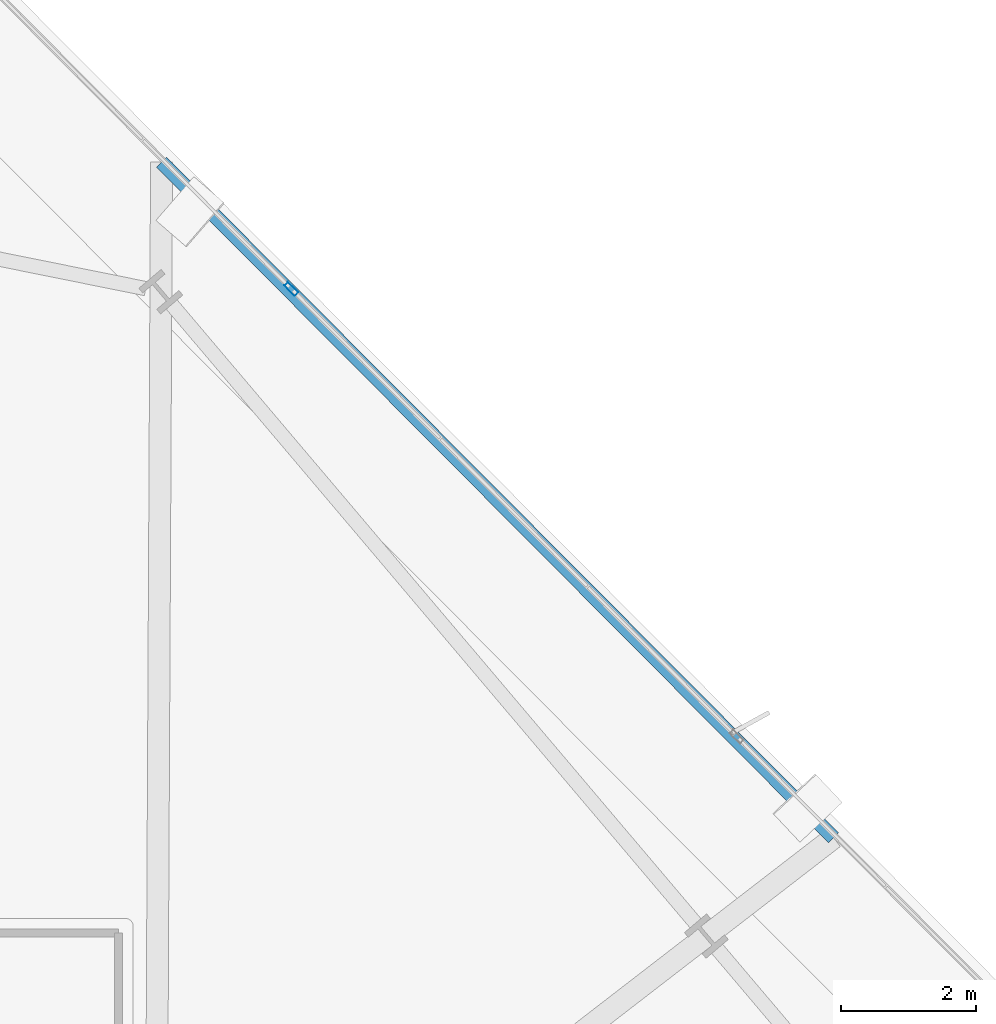
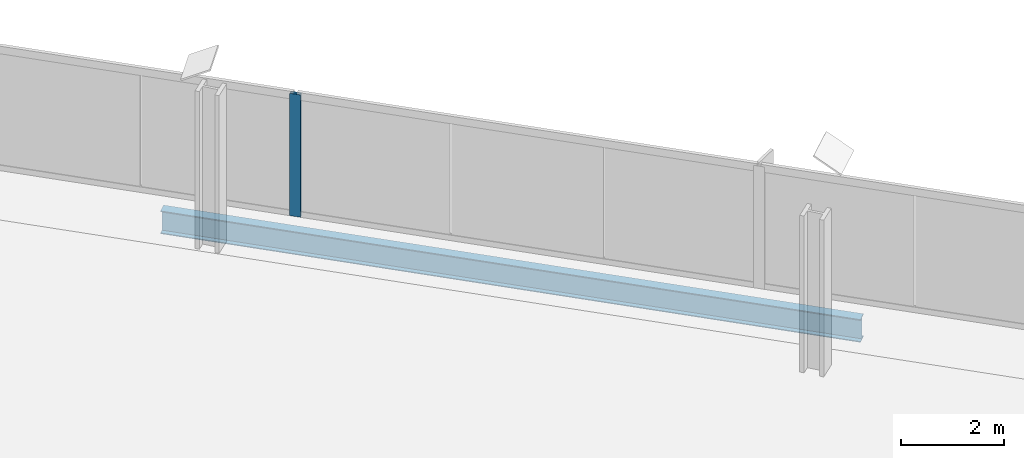
# One storey, part 21 of 32: 1 beam, 1 member, 1 element without a shape of its own.
"""IFC4 building model written with IfcOpenShell, lengths in metres."""

from ifc_helpers import new_model, si_unit, direction, frame, origin, origin_2d, place, context, subcontext, project, spatial, hollow_rectangle, i_section, extrude, material, material_profile, profile_set, type_object, element, aggregate, save


model = new_model("IFC4")

# Units and contexts
model_context = context("Model", 3, precision=1e-05, world=origin(), true_north=direction((0.0, 1.0)))
body_context = subcontext(model_context, "Body", "Model", "MODEL_VIEW")
ifc_project = project(units=[si_unit("LENGTHUNIT", "METRE"), si_unit("AREAUNIT", "SQUARE_METRE"), si_unit("VOLUMEUNIT", "CUBIC_METRE"), si_unit("PLANEANGLEUNIT", "RADIAN"), si_unit("MASSUNIT", "GRAM", prefix="KILO")], contexts=[model_context])

# Site, building, storey
site_placement = place(None, origin())
site = spatial("IfcSite", under=ifc_project, at=site_placement, CompositionType="ELEMENT")
building_placement = place(site_placement, origin())
building = spatial("IfcBuilding", under=site, at=building_placement, Name="Haldenkirk Collegiate Tower", CompositionType="ELEMENT")
storey_placement = place(building_placement, frame((0.0, 0.0, 178.199951171875)))
storey = spatial("IfcBuildingStorey", under=building, at=storey_placement, Name="L44", CompositionType="ELEMENT", Elevation=178.199951171875)

# Beam
ifc_material_1 = material(Name="Steel ASTM A992 Grade 50", Category="steel")
ifc_material_profile_1 = material_profile(ifc_material_1, i_section(OverallWidth=0.2119140625, OverallDepth=0.5439453125, WebThickness=0.01318359375, FlangeThickness=0.021240234375, at=origin_2d()), Name="W21X83")
ifc_profile_set_1 = profile_set([ifc_material_profile_1], Name="Steel ASTM A992 Grade 50")
beam_type = type_object("IfcBeamType", Name="BM-SPANDREL-W21X83", PredefinedType="SPANDREL", material=ifc_profile_set_1)
beam_placement = place(storey_placement, frame((55.05908203125, 41.764404296875, -0.56201171875), z_axis=(-0.705247746959, 0.70896094068, 0.0), x_axis=(-0.70896094068, -0.705247746959, 0.0)))
element("IfcBeam", 1, at=beam_placement, inside=storey, type_object=beam_type, Name="L44 outer facade edge beam 2", PredefinedType="SPANDREL", context=body_context, shape_type="SweptSolid", body=[
    extrude(i_section(OverallWidth=0.2119140625, OverallDepth=0.5439453125, WebThickness=0.01318359375, FlangeThickness=0.021240234375, at=origin_2d()), origin(), (0.0, 0.0, 1.0), 14.13623046875),
])

# Curtain wall, member
ifc_material_2 = material(Name="Anodised architectural bronze aluminium", Category="aluminium")
curtain_wall_type = type_object("IfcCurtainWallType", Name="CW-SYS1-CONVEX-LOW", PredefinedType="USERDEFINED", material=ifc_material_2)
curtain_wall_placement = place(storey_placement, origin())
curtain_wall = element("IfcCurtainWall", 2, at=curtain_wall_placement, inside=storey, type_object=curtain_wall_type, Name="L44 Lower tower convex bronze-framed unitised curtain wall", ObjectType="UNITISED CURTAIN WALL", PredefinedType="USERDEFINED")
ifc_material_profile_2 = material_profile(ifc_material_2, hollow_rectangle(XDim=0.080078125, YDim=0.219970703125, WallThickness=0.0048828125, at=origin_2d()), Name="CW-MUL-1A")
ifc_profile_set_2 = profile_set([ifc_material_profile_2], Name="Anodised architectural bronze aluminium")
member_type = type_object("IfcMemberType", Name="CW-MUL-1A", PredefinedType="MULLION", material=ifc_profile_set_2)
member_placement = place(storey_placement, frame((47.014892578125, 49.90771484375, 0.0), z_axis=(0.0, 0.0, 1.0), x_axis=(0.708953598447, 0.705255127772, 0.0)))
member = element("IfcMember", 3, at=member_placement, type_object=member_type, Name="CW-1A mullion 2", PredefinedType="MULLION", context=body_context, shape_type="SweptSolid", body=[
    extrude(hollow_rectangle(XDim=0.080078125, YDim=0.219970703125, WallThickness=0.0048828125, at=origin_2d()), origin(), (0.0, 0.0, 1.0), 2.9111328125),
])
aggregate(curtain_wall, [member])

save(model, "model.ifc")
